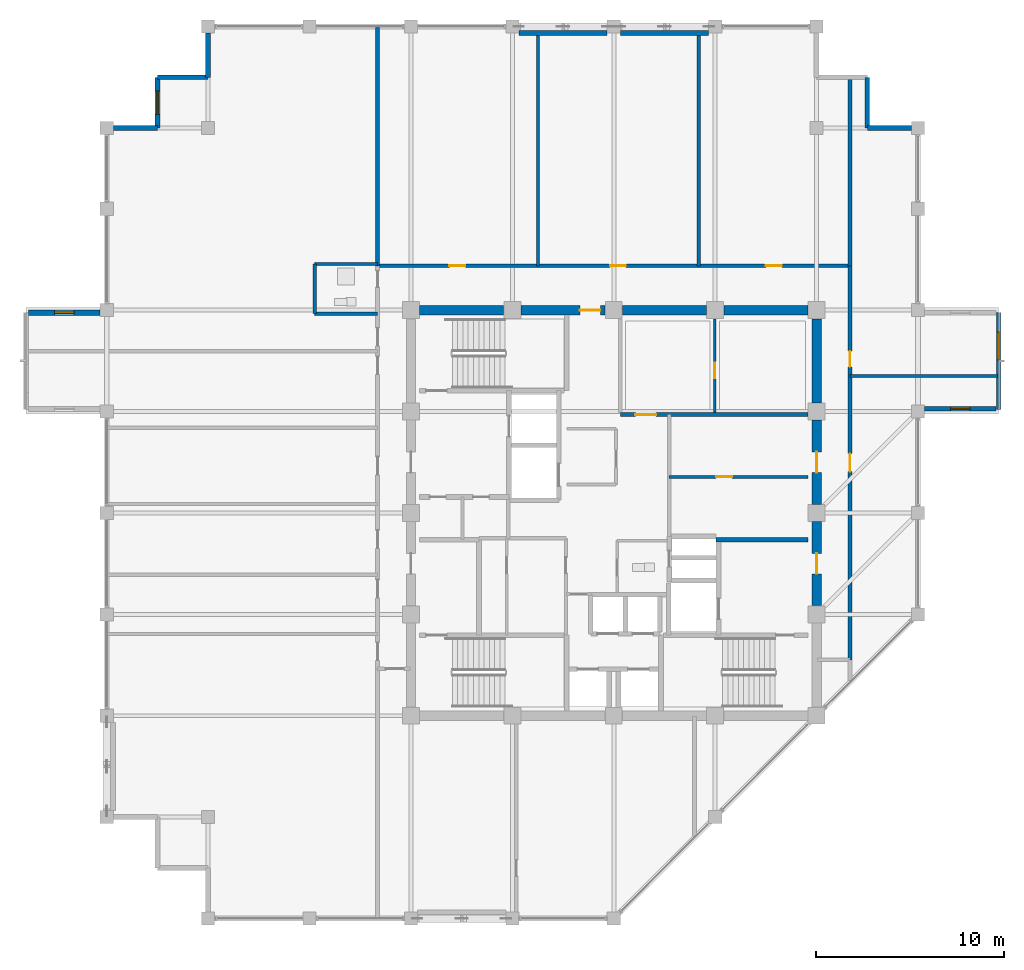
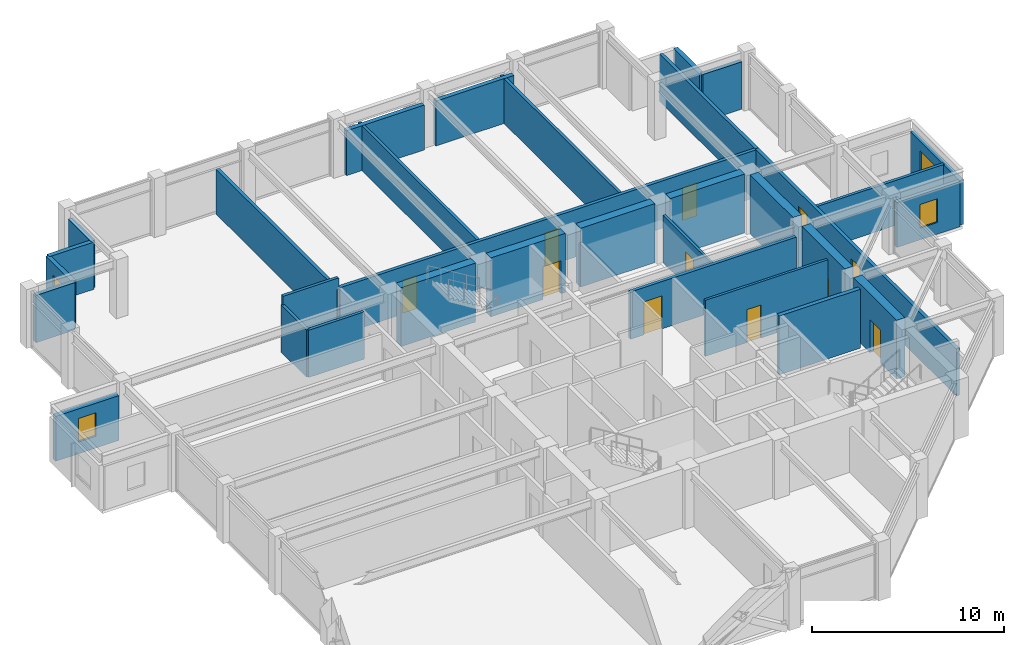
# One storey, part 27 of 31: 32 walls, 11 doors, 4 windows, 15 openings.
"""IFC4 building model written with IfcOpenShell, lengths in metres."""

from ifc_helpers import new_model, si_unit, direction, frame, frame_2d, origin, place, context, subcontext, project, spatial, rectangle, extrude, material, layer, layer_set, type_object, element, fill, save


model = new_model("IFC4")

# Units and contexts
model_context = context("Model", 3, precision=1e-05, world=origin(), true_north=direction((0.0, 1.0)))
body_context = subcontext(model_context, "Body", "Model", "MODEL_VIEW")
ifc_project = project(units=[si_unit("LENGTHUNIT", "METRE"), si_unit("AREAUNIT", "SQUARE_METRE"), si_unit("VOLUMEUNIT", "CUBIC_METRE"), si_unit("PLANEANGLEUNIT", "RADIAN"), si_unit("MASSUNIT", "GRAM", prefix="KILO")], contexts=[model_context])

# Site, building, storey
site_placement = place(None, origin())
site = spatial("IfcSite", under=ifc_project, at=site_placement, CompositionType="ELEMENT")
building_placement = place(site_placement, origin())
building = spatial("IfcBuilding", under=site, at=building_placement, Name="Surkhivell Harbour Commons", CompositionType="ELEMENT")
storey_placement = place(building_placement, frame((0.0, 0.0, 262.5)))
storey = spatial("IfcBuildingStorey", under=building, at=storey_placement, Name="L68", CompositionType="ELEMENT", Elevation=262.5)

# Wall
ifc_material_1 = material(Name="Concrete C50/60", Category="concrete")
ifc_layer_1 = layer(ifc_material_1, 0.5)
ifc_layer_set_1 = layer_set([ifc_layer_1], Name="Concrete C50/60")
wall_type_1 = type_object("IfcWallType", Name="WAL-CORE-500", PredefinedType="SHEAR", material=ifc_layer_set_1)
wall_1_placement = place(storey_placement, frame((-10.340087890625, 10.800048828125, 0.0), z_axis=(0.0, 0.0, 1.0), x_axis=(1.0, 0.0, 0.0)))
element("IfcWall", 1, at=wall_1_placement, inside=storey, type_object=wall_type_1, Name="L68 Core Shear Wall North 1", PredefinedType="SHEAR", context=body_context, shape_type="SweptSolid", body=[
    extrude(rectangle(XDim=4.47998046875, YDim=0.5, at=frame_2d((2.239990234375, 0.0))), origin(), (0.0, 0.0, 1.0), 3.75),
])

# Wall, opening, door
wall_2_placement = place(storey_placement, frame((-4.93994140625, 10.800048828125, 0.0), z_axis=(0.0, 0.0, 1.0), x_axis=(1.0, 0.0, 0.0)))
wall_2 = element("IfcWall", 2, at=wall_2_placement, inside=storey, type_object=wall_type_1, Name="L68 Core Shear Wall North 2", PredefinedType="SHEAR", context=body_context, shape_type="SweptSolid", body=[
    extrude(rectangle(XDim=4.47998046875, YDim=0.5, at=frame_2d((2.239990234375, 0.0))), origin(), (0.0, 0.0, 1.0), 3.75),
])
opening_1_placement = place(wall_2_placement, frame((3.1298828125, 0.0, 0.0)))
opening_1 = element("IfcOpeningElement", 3, at=opening_1_placement, cuts=wall_2, Name="Opening ID-2", PredefinedType="OPENING", context=body_context, shape_type="SweptSolid", body=[
    extrude(rectangle(XDim=1.10009765625, YDim=2.10009765625, at=frame_2d((0.550048828125, 1.050048828125))), frame((0.0, 0.260009765625, 0.0), z_axis=(0.0, -1.0, 0.0), x_axis=(1.0, 0.0, 0.0)), (0.0, 0.0, 1.0), 0.52001953125),
])
ifc_material_2 = material(Name="Hardwood-veneered fire-rated door leaf", Category="wood")
door_type_1 = type_object("IfcDoorType", Name="DOR-FD60-1100", OperationType="NOTDEFINED", PredefinedType="DOOR", material=ifc_material_2)
door_1_placement = place(opening_1_placement, origin())
door_1 = element("IfcDoor", 4, at=door_1_placement, inside=storey, type_object=door_type_1, Name="L68 Central Core Lift Hall North Corridor Door", OperationType="SINGLE_SWING_LEFT", OverallHeight=2.10009765625, OverallWidth=1.10009765625, PredefinedType="DOOR", context=body_context, shape_type="SweptSolid", body=[
    extrude(rectangle(XDim=1.10009765625, YDim=2.10009765625, at=frame_2d((0.550048828125, 1.050048828125))), frame((0.0, 0.02490234375, 0.0), z_axis=(0.0, -1.0, 0.0), x_axis=(1.0, 0.0, 0.0)), (0.0, 0.0, 1.0), 0.050048828125),
])
fill(opening_1, door_1)

wall_3_placement = place(storey_placement, frame((10.800048828125, -4.93994140625, 0.0), z_axis=(0.0, 0.0, 1.0), x_axis=(0.0, 1.0, 0.0)))
wall_3 = element("IfcWall", 5, at=wall_3_placement, inside=storey, type_object=wall_type_1, Name="L68 Core Shear Wall East 2", PredefinedType="SHEAR", context=body_context, shape_type="SweptSolid", body=[
    extrude(rectangle(XDim=4.47998046875, YDim=0.5, at=frame_2d((2.239990234375, 0.0))), origin(), (0.0, 0.0, 1.0), 3.75),
])
opening_2_placement = place(wall_3_placement, frame((1.68994140625, 0.0, 0.0)))
opening_2 = element("IfcOpeningElement", 6, at=opening_2_placement, cuts=wall_3, Name="Opening ID-1", PredefinedType="OPENING", context=body_context, shape_type="SweptSolid", body=[
    extrude(rectangle(XDim=1.10009765625, YDim=2.10009765625, at=frame_2d((0.550048828125, 1.050048828125))), frame((0.0, 0.260009765625, 0.0), z_axis=(0.0, -1.0, 0.0), x_axis=(1.0, 0.0, 0.0)), (0.0, 0.0, 1.0), 0.52001953125),
])
door_type_2 = type_object("IfcDoorType", Name="DOR-FD120-1100", OperationType="NOTDEFINED", PredefinedType="DOOR", material=ifc_material_2)
door_2_placement = place(opening_2_placement, origin())
door_2 = element("IfcDoor", 7, at=door_2_placement, inside=storey, type_object=door_type_2, Name="L68 Firefighting Lobby 2 Corridor Door", OperationType="SINGLE_SWING_RIGHT", OverallHeight=2.10009765625, OverallWidth=1.10009765625, PredefinedType="DOOR", context=body_context, shape_type="SweptSolid", body=[
    extrude(rectangle(XDim=1.10009765625, YDim=2.10009765625, at=frame_2d((0.550048828125, 1.050048828125))), frame((0.0, 0.02490234375, 0.0), z_axis=(0.0, -1.0, 0.0), x_axis=(1.0, 0.0, 0.0)), (0.0, 0.0, 1.0), 0.050048828125),
])
fill(opening_2, door_2)

# Wall
wall_4_placement = place(storey_placement, frame((0.4599609375, 10.800048828125, 0.0), z_axis=(0.0, 0.0, 1.0), x_axis=(1.0, 0.0, 0.0)))
element("IfcWall", 8, at=wall_4_placement, inside=storey, type_object=wall_type_1, Name="L68 Core Shear Wall North 3", PredefinedType="SHEAR", context=body_context, shape_type="SweptSolid", body=[
    extrude(rectangle(XDim=4.47998046875, YDim=0.5, at=frame_2d((2.239990234375, 0.0))), origin(), (0.0, 0.0, 1.0), 3.75),
])

# Wall, opening, door
wall_5_placement = place(storey_placement, frame((10.800048828125, 0.4599609375, 0.0), z_axis=(0.0, 0.0, 1.0), x_axis=(0.0, 1.0, 0.0)))
wall_5 = element("IfcWall", 9, at=wall_5_placement, inside=storey, type_object=wall_type_1, Name="L68 Core Shear Wall East 3", PredefinedType="SHEAR", context=body_context, shape_type="SweptSolid", body=[
    extrude(rectangle(XDim=4.47998046875, YDim=0.5, at=frame_2d((2.239990234375, 0.0))), origin(), (0.0, 0.0, 1.0), 3.75),
])
opening_3_placement = place(wall_5_placement, frame((1.68994140625, 0.0, 0.0)))
opening_3 = element("IfcOpeningElement", 10, at=opening_3_placement, cuts=wall_5, Name="Opening ID-2", PredefinedType="OPENING", context=body_context, shape_type="SweptSolid", body=[
    extrude(rectangle(XDim=1.10009765625, YDim=2.10009765625, at=frame_2d((0.550048828125, 1.050048828125))), frame((0.0, 0.260009765625, 0.0), z_axis=(0.0, -1.0, 0.0), x_axis=(1.0, 0.0, 0.0)), (0.0, 0.0, 1.0), 0.52001953125),
])
door_3_placement = place(opening_3_placement, origin())
door_3 = element("IfcDoor", 11, at=door_3_placement, inside=storey, type_object=door_type_1, Name="L68 Media Lounge East Door", OperationType="SINGLE_SWING_RIGHT", OverallHeight=2.10009765625, OverallWidth=1.10009765625, PredefinedType="DOOR", context=body_context, shape_type="SweptSolid", body=[
    extrude(rectangle(XDim=1.10009765625, YDim=2.10009765625, at=frame_2d((0.550048828125, 1.050048828125))), frame((0.0, 0.02490234375, 0.0), z_axis=(0.0, -1.0, 0.0), x_axis=(1.0, 0.0, 0.0)), (0.0, 0.0, 1.0), 0.050048828125),
])
fill(opening_3, door_3)

# Walls
for number, where, z_axis, x_axis, name in (
    (12, (5.860107421875, 10.800048828125, 0.0), (0.0, 0.0, 1.0), (1.0, 0.0, 0.0), "L68 Core Shear Wall North 4"),
    (13, (10.800048828125, 5.860107421875, 0.0), (0.0, 0.0, 1.0), (0.0, 1.0, 0.0), "L68 Core Shear Wall East 4"),
):
    element("IfcWall", number, at=place(storey_placement, frame(where, z_axis=z_axis, x_axis=x_axis)), inside=storey, type_object=wall_type_1, Name=name, PredefinedType="SHEAR", context=body_context, shape_type="SweptSolid", body=[
        extrude(rectangle(XDim=4.47998046875, YDim=0.5, at=frame_2d((2.239990234375, 0.0))), origin(), (0.0, 0.0, 1.0), 3.75),
    ])
ifc_material_3 = material(Name="Pale-metal insulated precast concrete C45/55", Category="concrete")
ifc_layer_2 = layer(ifc_material_3, 0.260009765625)
ifc_layer_set_2 = layer_set([ifc_layer_2], Name="Pale-metal insulated precast concrete C45/55")
wall_type_2 = type_object("IfcWallType", Name="WAL-EXT-MTL260", PredefinedType="STANDARD", material=ifc_layer_set_2)
wall_6_placement = place(storey_placement, frame((15.85205078125, 20.5, 0.0), z_axis=(0.0, 0.0, 1.0), x_axis=(-1.0, 0.0, 0.0)))
element("IfcWall", 14, at=wall_6_placement, inside=storey, type_object=wall_type_2, Name="L68 Serrated Corner Facade Wall 03", PredefinedType="STANDARD", context=body_context, shape_type="SweptSolid", body=[
    extrude(rectangle(XDim=2.35205078125, YDim=0.260009765625, at=frame_2d((1.176025390625, 0.0))), origin(), (0.0, 0.0, 1.0), 3.012939453125),
])
wall_7_placement = place(storey_placement, frame((13.5, 20.5, 0.0), z_axis=(0.0, 0.0, 1.0), x_axis=(0.0, 1.0, 0.0)))
element("IfcWall", 15, at=wall_7_placement, inside=storey, type_object=wall_type_2, Name="L68 Serrated Corner Facade Wall 04", PredefinedType="STANDARD", context=body_context, shape_type="SweptSolid", body=[
    extrude(rectangle(XDim=2.699951171875, YDim=0.260009765625, at=frame_2d((1.35009765625, 0.0))), origin(), (0.0, 0.0, 1.0), 3.012939453125),
])
for number, where, z_axis, x_axis, name in (
    (16, (-0.347900390625, 25.56494140625, 0.0), (0.0, 0.0, 1.0), (-1.0, 0.0, 0.0), "L68 Braced-Bay Insulated Spandrel Backing N"),
    (17, (5.052001953125, 25.56494140625, 0.0), (0.0, 0.0, 1.0), (-1.0, 0.0, 0.0), "L68 Braced-Bay Insulated Spandrel Backing N2"),
):
    element("IfcWall", number, at=place(storey_placement, frame(where, z_axis=z_axis, x_axis=x_axis)), inside=storey, type_object=wall_type_2, Name=name, PredefinedType="STANDARD", context=body_context, shape_type="SweptSolid", body=[
        extrude(rectangle(XDim=4.7041015625, YDim=0.260009765625, at=frame_2d((2.35205078125, 0.0))), origin(), (0.0, 0.0, 1.0), 2.85693359375),
    ])
wall_8_placement = place(storey_placement, frame((-21.60009765625, 25.552001953125, 0.0), z_axis=(0.0, 0.0, 1.0), x_axis=(0.0, -1.0, 0.0)))
element("IfcWall", 18, at=wall_8_placement, inside=storey, type_object=wall_type_2, Name="L68 Serrated Corner Facade Wall 08", PredefinedType="STANDARD", context=body_context, shape_type="SweptSolid", body=[
    extrude(rectangle(XDim=2.35205078125, YDim=0.260009765625, at=frame_2d((1.176025390625, 0.0))), origin(), (0.0, 0.0, 1.0), 3.012939453125),
])
wall_9_placement = place(storey_placement, frame((-21.60009765625, 23.199951171875, 0.0), z_axis=(0.0, 0.0, 1.0), x_axis=(-1.0, 0.0, 0.0)))
element("IfcWall", 19, at=wall_9_placement, inside=storey, type_object=wall_type_2, Name="L68 Serrated Corner Facade Wall 09", PredefinedType="STANDARD", context=body_context, shape_type="SweptSolid", body=[
    extrude(rectangle(XDim=2.699951171875, YDim=0.260009765625, at=frame_2d((1.35009765625, 0.0))), origin(), (0.0, 0.0, 1.0), 3.012939453125),
])

# Wall, opening, window
wall_10_placement = place(storey_placement, frame((-24.300048828125, 23.199951171875, 0.0), z_axis=(0.0, 0.0, 1.0), x_axis=(0.0, -1.0, 0.0)))
wall_10 = element("IfcWall", 20, at=wall_10_placement, inside=storey, type_object=wall_type_2, Name="L68 Serrated Corner Facade Wall 10", PredefinedType="STANDARD", context=body_context, shape_type="SweptSolid", body=[
    extrude(rectangle(XDim=2.699951171875, YDim=0.260009765625, at=frame_2d((1.35009765625, 0.0))), origin(), (0.0, 0.0, 1.0), 3.012939453125),
])
opening_4_placement = place(wall_10_placement, frame((0.72509765625, 0.0, 0.64990234375)))
opening_4 = element("IfcOpeningElement", 21, at=opening_4_placement, cuts=wall_10, Name="Opening WN-09", PredefinedType="OPENING", context=body_context, shape_type="SweptSolid", body=[
    extrude(rectangle(XDim=1.25, YDim=1.60009765625, at=frame_2d((0.625, 0.800048828125))), frame((0.0, 0.139892578125, 0.0), z_axis=(0.0, -1.0, 0.0), x_axis=(1.0, 0.0, 0.0)), (0.0, 0.0, 1.0), 0.280029296875),
])
ifc_material_4 = material(Name="Thermal-break aluminium frame and double low-E glazing", Category="aluminium")
window_type_1 = type_object("IfcWindowType", Name="WIN-SER-1250x1600", PartitioningType="SINGLE_PANEL", PredefinedType="WINDOW", material=ifc_material_4)
window_1_placement = place(opening_4_placement, origin())
window_1 = element("IfcWindow", 22, at=window_1_placement, inside=storey, type_object=window_type_1, Name="L68 Serrated Alcove Window 10", OverallHeight=1.60009765625, OverallWidth=1.25, PartitioningType="SINGLE_PANEL", PredefinedType="WINDOW", context=body_context, shape_type="SweptSolid", body=[
    extrude(rectangle(XDim=1.25, YDim=1.60009765625, at=frame_2d((0.625, 0.800048828125))), frame((0.0, 0.030029296875, 0.0), z_axis=(0.0, -1.0, 0.0), x_axis=(1.0, 0.0, 0.0)), (0.0, 0.0, 1.0), 0.06005859375),
])
fill(opening_4, window_1)

# Wall
wall_11_placement = place(storey_placement, frame((-24.300048828125, 20.5, 0.0), z_axis=(0.0, 0.0, 1.0), x_axis=(-1.0, 0.0, 0.0)))
element("IfcWall", 23, at=wall_11_placement, inside=storey, type_object=wall_type_2, Name="L68 Serrated Corner Facade Wall 11", PredefinedType="STANDARD", context=body_context, shape_type="SweptSolid", body=[
    extrude(rectangle(XDim=2.35205078125, YDim=0.260009765625, at=frame_2d((1.176025390625, 0.0))), origin(), (0.0, 0.0, 1.0), 3.012939453125),
])

# Wall, opening, window
ifc_material_5 = material(Name="Bronze-ochre cassette precast concrete C45/55", Category="concrete")
ifc_layer_3 = layer(ifc_material_5, 0.239990234375)
ifc_layer_set_3 = layer_set([ifc_layer_3], Name="Bronze-ochre cassette precast concrete C45/55")
wall_type_3 = type_object("IfcWallType", Name="WAL-EXT-OCH240", PredefinedType="STANDARD", material=ifc_layer_set_3)
wall_12_placement = place(storey_placement, frame((20.5, 5.52001953125, 0.0), z_axis=(0.0, 0.0, 1.0), x_axis=(0.0, 1.0, 0.0)))
wall_12 = element("IfcWall", 24, at=wall_12_placement, inside=storey, type_object=wall_type_3, Name="L68 Coloured Box Front Wall 01", PredefinedType="STANDARD", context=body_context, shape_type="SweptSolid", body=[
    extrude(rectangle(XDim=5.159912109375, YDim=0.239990234375, at=frame_2d((2.580078125, 0.0))), origin(), (0.0, 0.0, 1.0), 2.85693359375),
])
opening_5_placement = place(wall_12_placement, frame((2.625, 0.0, 0.75)))
opening_5 = element("IfcOpeningElement", 25, at=opening_5_placement, cuts=wall_12, Name="Opening WN-13", PredefinedType="OPENING", context=body_context, shape_type="SweptSolid", body=[
    extrude(rectangle(XDim=1.5, YDim=1.5, at=frame_2d((0.75, 0.75))), frame((0.0, 0.1298828125, 0.0), z_axis=(0.0, -1.0, 0.0), x_axis=(1.0, 0.0, 0.0)), (0.0, 0.0, 1.0), 0.260009765625),
])
window_type_2 = type_object("IfcWindowType", Name="WIN-BOX-1500x1500", PartitioningType="SINGLE_PANEL", PredefinedType="WINDOW", material=ifc_material_4)
window_2_placement = place(opening_5_placement, origin())
window_2 = element("IfcWindow", 26, at=window_2_placement, inside=storey, type_object=window_type_2, Name="L68 Coloured Box Square Window 01-1", OverallHeight=1.5, OverallWidth=1.5, PartitioningType="SINGLE_PANEL", PredefinedType="WINDOW", context=body_context, shape_type="SweptSolid", body=[
    extrude(rectangle(XDim=1.5, YDim=1.5, at=frame_2d((0.75, 0.75))), frame((0.0, 0.030029296875, 0.0), z_axis=(0.0, -1.0, 0.0), x_axis=(1.0, 0.0, 0.0)), (0.0, 0.0, 1.0), 0.06005859375),
])
fill(opening_5, window_2)

wall_13_placement = place(storey_placement, frame((16.553955078125, 5.5400390625, 0.0), z_axis=(0.0, 0.0, 1.0), x_axis=(1.0, 0.0, 0.0)))
wall_13 = element("IfcWall", 27, at=wall_13_placement, inside=storey, type_object=wall_type_3, Name="L68 Coloured Box Return Wall 01S", PredefinedType="STANDARD", context=body_context, shape_type="SweptSolid", body=[
    extrude(rectangle(XDim=3.80615234375, YDim=0.239990234375, at=frame_2d((1.903076171875, 0.0))), origin(), (0.0, 0.0, 1.0), 2.85693359375),
])
opening_6_placement = place(wall_13_placement, frame((1.3779296875, 0.0, 0.75)))
opening_6 = element("IfcOpeningElement", 28, at=opening_6_placement, cuts=wall_13, Name="Opening WN-11", PredefinedType="OPENING", context=body_context, shape_type="SweptSolid", body=[
    extrude(rectangle(XDim=1.050048828125, YDim=1.5, at=frame_2d((0.52490234375, 0.75))), frame((0.0, 0.1298828125, 0.0), z_axis=(0.0, -1.0, 0.0), x_axis=(1.0, 0.0, 0.0)), (0.0, 0.0, 1.0), 0.260009765625),
])
window_type_3 = type_object("IfcWindowType", Name="WIN-SER-1050x1500", PartitioningType="SINGLE_PANEL", PredefinedType="WINDOW", material=ifc_material_4)
window_3_placement = place(opening_6_placement, origin())
window_3 = element("IfcWindow", 29, at=window_3_placement, inside=storey, type_object=window_type_3, Name="L68 Coloured Box Return Window 01S", OverallHeight=1.5, OverallWidth=1.050048828125, PartitioningType="SINGLE_PANEL", PredefinedType="WINDOW", context=body_context, shape_type="SweptSolid", body=[
    extrude(rectangle(XDim=1.050048828125, YDim=1.5, at=frame_2d((0.52490234375, 0.75))), frame((0.0, 0.030029296875, 0.0), z_axis=(0.0, -1.0, 0.0), x_axis=(1.0, 0.0, 0.0)), (0.0, 0.0, 1.0), 0.06005859375),
])
fill(opening_6, window_3)

ifc_material_6 = material(Name="Terracotta-clad reinforced concrete C45/55", Category="masonry")
ifc_layer_4 = layer(ifc_material_6, 0.280029296875)
ifc_layer_set_4 = layer_set([ifc_layer_4], Name="Terracotta-clad reinforced concrete C45/55")
wall_type_4 = type_object("IfcWallType", Name="WAL-EXT-TER280", PredefinedType="STANDARD", material=ifc_layer_set_4)
wall_14_placement = place(storey_placement, frame((-31.159912109375, 10.659912109375, 0.0), z_axis=(0.0, 0.0, 1.0), x_axis=(1.0, 0.0, 0.0)))
wall_14 = element("IfcWall", 30, at=wall_14_placement, inside=storey, type_object=wall_type_4, Name="L68 Coloured Box Return Wall 02N", PredefinedType="STANDARD", context=body_context, shape_type="SweptSolid", body=[
    extrude(rectangle(XDim=3.805908203125, YDim=0.280029296875, at=frame_2d((1.90283203125, 0.0))), origin(), (0.0, 0.0, 1.0), 2.85693359375),
])
opening_7_placement = place(wall_14_placement, frame((1.3779296875, 0.0, 0.75)))
opening_7 = element("IfcOpeningElement", 31, at=opening_7_placement, cuts=wall_14, Name="Opening WN-11", PredefinedType="OPENING", context=body_context, shape_type="SweptSolid", body=[
    extrude(rectangle(XDim=1.050048828125, YDim=1.5, at=frame_2d((0.52490234375, 0.75))), frame((0.0, 0.14990234375, 0.0), z_axis=(0.0, -1.0, 0.0), x_axis=(1.0, 0.0, 0.0)), (0.0, 0.0, 1.0), 0.300048828125),
])
window_4_placement = place(opening_7_placement, origin())
window_4 = element("IfcWindow", 32, at=window_4_placement, inside=storey, type_object=window_type_3, Name="L68 Coloured Box Return Window 02N", OverallHeight=1.5, OverallWidth=1.050048828125, PartitioningType="SINGLE_PANEL", PredefinedType="WINDOW", context=body_context, shape_type="SweptSolid", body=[
    extrude(rectangle(XDim=1.050048828125, YDim=1.5, at=frame_2d((0.52490234375, 0.75))), frame((0.0, 0.030029296875, 0.0), z_axis=(0.0, -1.0, 0.0), x_axis=(1.0, 0.0, 0.0)), (0.0, 0.0, 1.0), 0.06005859375),
])
fill(opening_7, window_4)

# Wall, opening, door
ifc_material_7 = material(Name="Twin-stud acoustic fireboard partition", Category="other")
ifc_layer_5 = layer(ifc_material_7, 0.14990234375)
ifc_layer_set_5 = layer_set([ifc_layer_5], Name="Twin-stud acoustic fireboard partition")
wall_type_5 = type_object("IfcWallType", Name="WAL-INT-150", PredefinedType="PARTITIONING", material=ifc_layer_set_5)
wall_15_placement = place(storey_placement, frame((5.3798828125, 5.360107421875, 0.0), z_axis=(0.0, 0.0, 1.0), x_axis=(0.0, 1.0, 0.0)))
wall_15 = element("IfcWall", 33, at=wall_15_placement, inside=storey, type_object=wall_type_5, Name="L68 Core Library Divider", PredefinedType="PARTITIONING", context=body_context, shape_type="SweptSolid", body=[
    extrude(rectangle(XDim=4.97998046875, YDim=0.14990234375, at=frame_2d((2.489990234375, 0.0))), origin(), (0.0, 0.0, 1.0), 3.012939453125),
])
opening_8_placement = place(wall_15_placement, frame((1.800048828125, 0.0, 0.0)))
opening_8 = element("IfcOpeningElement", 34, at=opening_8_placement, cuts=wall_15, Name="Opening ID-6", PredefinedType="OPENING", context=body_context, shape_type="SweptSolid", body=[
    extrude(rectangle(XDim=0.85009765625, YDim=2.10009765625, at=frame_2d((0.425048828125, 1.050048828125))), frame((0.0, 0.0849609375, 0.0), z_axis=(0.0, -1.0, 0.0), x_axis=(1.0, 0.0, 0.0)), (0.0, 0.0, 1.0), 0.169921875),
])
door_type_3 = type_object("IfcDoorType", Name="DOR-FD30-850", OperationType="NOTDEFINED", PredefinedType="DOOR", material=ifc_material_2)
door_4_placement = place(opening_8_placement, origin())
door_4 = element("IfcDoor", 35, at=door_4_placement, inside=storey, type_object=door_type_3, Name="L68 Core Reading Door", OperationType="SINGLE_SWING_RIGHT", OverallHeight=2.10009765625, OverallWidth=0.85009765625, PredefinedType="DOOR", context=body_context, shape_type="SweptSolid", body=[
    extrude(rectangle(XDim=0.85009765625, YDim=2.10009765625, at=frame_2d((0.425048828125, 1.050048828125))), frame((0.0, 0.02490234375, 0.0), z_axis=(0.0, -1.0, 0.0), x_axis=(1.0, 0.0, 0.0)), (0.0, 0.0, 1.0), 0.050048828125),
])
fill(opening_8, door_4)

wall_16_placement = place(storey_placement, frame((2.949951171875, 1.919921875, 0.0), z_axis=(0.0, 0.0, 1.0), x_axis=(1.0, 0.0, 0.0)))
wall_16 = element("IfcWall", 36, at=wall_16_placement, inside=storey, type_object=wall_type_5, Name="L68 Media Divider", PredefinedType="PARTITIONING", context=body_context, shape_type="SweptSolid", body=[
    extrude(rectangle(XDim=7.39013671875, YDim=0.14990234375, at=frame_2d((3.695068359375, 0.0))), origin(), (0.0, 0.0, 1.0), 3.570068359375),
])
opening_9_placement = place(wall_16_placement, frame((2.5, 0.0, 0.0)))
opening_9 = element("IfcOpeningElement", 37, at=opening_9_placement, cuts=wall_16, Name="Opening ID-6", PredefinedType="OPENING", context=body_context, shape_type="SweptSolid", body=[
    extrude(rectangle(XDim=0.85009765625, YDim=2.10009765625, at=frame_2d((0.425048828125, 1.050048828125))), frame((0.0, 0.0849609375, 0.0), z_axis=(0.0, -1.0, 0.0), x_axis=(1.0, 0.0, 0.0)), (0.0, 0.0, 1.0), 0.169921875),
])
door_5_placement = place(opening_9_placement, origin())
door_5 = element("IfcDoor", 38, at=door_5_placement, inside=storey, type_object=door_type_3, Name="L68 Seminar Alcove Door", OperationType="SINGLE_SWING_RIGHT", OverallHeight=2.10009765625, OverallWidth=0.85009765625, PredefinedType="DOOR", context=body_context, shape_type="SweptSolid", body=[
    extrude(rectangle(XDim=0.85009765625, YDim=2.10009765625, at=frame_2d((0.425048828125, 1.050048828125))), frame((0.0, 0.02490234375, 0.0), z_axis=(0.0, -1.0, 0.0), x_axis=(1.0, 0.0, 0.0)), (0.0, 0.0, 1.0), 0.050048828125),
])
fill(opening_9, door_5)

# Walls
ifc_material_8 = material(Name="High-density acoustic blockwork fire partition", Category="masonry")
ifc_layer_6 = layer(ifc_material_8, 0.175048828125)
ifc_layer_set_6 = layer_set([ifc_layer_6], Name="High-density acoustic blockwork fire partition")
wall_type_6 = type_object("IfcWallType", Name="WAL-INT-175", PredefinedType="PARTITIONING", material=ifc_layer_set_6)
wall_17_placement = place(storey_placement, frame((12.580078125, 7.2900390625, 0.0), z_axis=(0.0, 0.0, 1.0), x_axis=(1.0, 0.0, 0.0)))
element("IfcWall", 39, at=wall_17_placement, inside=storey, type_object=wall_type_6, Name="L68 East Partition P1", PredefinedType="PARTITIONING", context=body_context, shape_type="SweptSolid", body=[
    extrude(rectangle(XDim=7.85986328125, YDim=0.175048828125, at=frame_2d((3.929931640625, 0.0))), origin(), (0.0, 0.0, 1.0), 2.85693359375),
])
for number, where, z_axis, x_axis, name in (
    (40, (-4.030029296875, 13.159912109375, 0.0), (0.0, 0.0, 1.0), (0.0, 1.0, 0.0), "L68 North Partition P1"),
    (41, (4.530029296875, 13.159912109375, 0.0), (0.0, 0.0, 1.0), (0.0, 1.0, 0.0), "L68 North Partition P2"),
):
    element("IfcWall", number, at=place(storey_placement, frame(where, z_axis=z_axis, x_axis=x_axis)), inside=storey, type_object=wall_type_6, Name=name, PredefinedType="PARTITIONING", context=body_context, shape_type="SweptSolid", body=[
        extrude(rectangle(XDim=12.68017578125, YDim=0.175048828125, at=frame_2d((6.340087890625, 0.0))), origin(), (0.0, 0.0, 1.0), 2.85693359375),
    ])
wall_18_placement = place(storey_placement, frame((-15.929931640625, 10.610107421875, 0.0), z_axis=(0.0, 0.0, 1.0), x_axis=(0.0, 1.0, 0.0)))
element("IfcWall", 42, at=wall_18_placement, inside=storey, type_object=wall_type_6, Name="L68 West Partition BTHB", PredefinedType="PARTITIONING", context=body_context, shape_type="SweptSolid", body=[
    extrude(rectangle(XDim=2.64990234375, YDim=0.175048828125, at=frame_2d((1.324951171875, 0.0))), origin(), (0.0, 0.0, 1.0), 3.012939453125),
])
wall_19_placement = place(storey_placement, frame((-15.929931640625, 13.260009765625, 0.0), z_axis=(0.0, 0.0, 1.0), x_axis=(1.0, 0.0, 0.0)))
element("IfcWall", 43, at=wall_19_placement, inside=storey, type_object=wall_type_6, Name="L68 West Partition BTHN", PredefinedType="PARTITIONING", context=body_context, shape_type="SweptSolid", body=[
    extrude(rectangle(XDim=3.349853515625, YDim=0.175048828125, at=frame_2d((1.6748046875, 0.0))), origin(), (0.0, 0.0, 1.0), 3.570068359375),
])
wall_20_placement = place(storey_placement, frame((-15.929931640625, 10.610107421875, 0.0), z_axis=(0.0, 0.0, 1.0), x_axis=(1.0, 0.0, 0.0)))
element("IfcWall", 44, at=wall_20_placement, inside=storey, type_object=wall_type_6, Name="L68 West Partition BTHS", PredefinedType="PARTITIONING", context=body_context, shape_type="SweptSolid", body=[
    extrude(rectangle(XDim=3.349853515625, YDim=0.175048828125, at=frame_2d((1.6748046875, 0.0))), origin(), (0.0, 0.0, 1.0), 3.012939453125),
])

# Wall, opening, door
ifc_material_9 = material(Name="Autoclaved aerated concrete blockwork and fire plaster", Category="masonry")
ifc_layer_7 = layer(ifc_material_9, 0.199951171875)
ifc_layer_set_7 = layer_set([ifc_layer_7], Name="Autoclaved aerated concrete blockwork and fire plaster")
wall_type_7 = type_object("IfcWallType", Name="WAL-INT-200", PredefinedType="PARTITIONING", material=ifc_layer_set_7)
wall_21_placement = place(storey_placement, frame((0.35009765625, 5.239990234375, 0.0), z_axis=(0.0, 0.0, 1.0), x_axis=(1.0, 0.0, 0.0)))
wall_21 = element("IfcWall", 45, at=wall_21_placement, inside=storey, type_object=wall_type_7, Name="L68 Reclaimed Core North Bay South Wall", PredefinedType="PARTITIONING", context=body_context, shape_type="SweptSolid", body=[
    extrude(rectangle(XDim=9.989990234375, YDim=0.199951171875, at=frame_2d((4.9951171875, 0.0))), origin(), (0.0, 0.0, 1.0), 3.012939453125),
])
opening_10_placement = place(wall_21_placement, frame((0.800048828125, 0.0, 0.0)))
opening_10 = element("IfcOpeningElement", 46, at=opening_10_placement, cuts=wall_21, Name="Opening ID-2", PredefinedType="OPENING", context=body_context, shape_type="SweptSolid", body=[
    extrude(rectangle(XDim=1.10009765625, YDim=2.10009765625, at=frame_2d((0.550048828125, 1.050048828125))), frame((0.0, 0.10986328125, 0.0), z_axis=(0.0, -1.0, 0.0), x_axis=(1.0, 0.0, 0.0)), (0.0, 0.0, 1.0), 0.219970703125),
])
door_6_placement = place(opening_10_placement, origin())
door_6 = element("IfcDoor", 47, at=door_6_placement, inside=storey, type_object=door_type_1, Name="L68 Core Study Door", OperationType="SINGLE_SWING_LEFT", OverallHeight=2.10009765625, OverallWidth=1.10009765625, PredefinedType="DOOR", context=body_context, shape_type="SweptSolid", body=[
    extrude(rectangle(XDim=1.10009765625, YDim=2.10009765625, at=frame_2d((0.550048828125, 1.050048828125))), frame((0.0, 0.02490234375, 0.0), z_axis=(0.0, -1.0, 0.0), x_axis=(1.0, 0.0, 0.0)), (0.0, 0.0, 1.0), 0.050048828125),
])
fill(opening_10, door_6)

# Walls
wall_22_placement = place(storey_placement, frame((12.580078125, 13.159912109375, 0.0), z_axis=(0.0, 0.0, 1.0), x_axis=(0.0, 1.0, 0.0)))
element("IfcWall", 48, at=wall_22_placement, inside=storey, type_object=wall_type_7, Name="L68 North-East Corner Wall", PredefinedType="PARTITIONING", context=body_context, shape_type="SweptSolid", body=[
    extrude(rectangle(XDim=9.97998046875, YDim=0.199951171875, at=frame_2d((4.989990234375, 0.0))), origin(), (0.0, 0.0, 1.0), 3.012939453125),
])
wall_23_placement = place(storey_placement, frame((-12.580078125, 13.159912109375, 0.0), z_axis=(0.0, 0.0, 1.0), x_axis=(0.0, 1.0, 0.0)))
element("IfcWall", 49, at=wall_23_placement, inside=storey, type_object=wall_type_7, Name="L68 North-West Corner Wall", PredefinedType="PARTITIONING", context=body_context, shape_type="SweptSolid", body=[
    extrude(rectangle(XDim=12.68017578125, YDim=0.199951171875, at=frame_2d((6.340087890625, 0.0))), origin(), (0.0, 0.0, 1.0), 2.85693359375),
])

# Wall, openings, doors
wall_24_placement = place(storey_placement, frame((12.580078125, -7.820068359375, 0.0), z_axis=(0.0, 0.0, 1.0), x_axis=(0.0, 1.0, 0.0)))
wall_24 = element("IfcWall", 50, at=wall_24_placement, inside=storey, type_object=wall_type_7, Name="L68 East Corridor Wall", PredefinedType="PARTITIONING", context=body_context, shape_type="SweptSolid", body=[
    extrude(rectangle(XDim=20.97998046875, YDim=0.199951171875, at=frame_2d((10.489990234375, 0.0))), origin(), (0.0, 0.0, 1.0), 3.012939453125),
])
opening_11_placement = place(wall_24_placement, frame((10.023193359375, 0.0, 0.0)))
opening_11 = element("IfcOpeningElement", 51, at=opening_11_placement, cuts=wall_24, Name="Opening ID-4", PredefinedType="OPENING", context=body_context, shape_type="SweptSolid", body=[
    extrude(rectangle(XDim=0.949951171875, YDim=2.10009765625, at=frame_2d((0.47509765625, 1.050048828125))), frame((0.0, 0.10986328125, 0.0), z_axis=(0.0, -1.0, 0.0), x_axis=(1.0, 0.0, 0.0)), (0.0, 0.0, 1.0), 0.219970703125),
])
opening_12_placement = place(wall_24_placement, frame((15.5927734375, 0.0, 0.0)))
opening_12 = element("IfcOpeningElement", 52, at=opening_12_placement, cuts=wall_24, Name="Opening ID-6", PredefinedType="OPENING", context=body_context, shape_type="SweptSolid", body=[
    extrude(rectangle(XDim=0.85009765625, YDim=2.10009765625, at=frame_2d((0.425048828125, 1.050048828125))), frame((0.0, 0.10986328125, 0.0), z_axis=(0.0, -1.0, 0.0), x_axis=(1.0, 0.0, 0.0)), (0.0, 0.0, 1.0), 0.219970703125),
])
door_7_placement = place(opening_12_placement, origin())
door_7 = element("IfcDoor", 53, at=door_7_placement, inside=storey, type_object=door_type_3, Name="L68 Resident Advisory Reception Desk East Door", OperationType="SINGLE_SWING_RIGHT", OverallHeight=2.10009765625, OverallWidth=0.85009765625, PredefinedType="DOOR", context=body_context, shape_type="SweptSolid", body=[
    extrude(rectangle(XDim=0.85009765625, YDim=2.10009765625, at=frame_2d((0.425048828125, 1.050048828125))), frame((0.0, 0.02490234375, 0.0), z_axis=(0.0, -1.0, 0.0), x_axis=(1.0, 0.0, 0.0)), (0.0, 0.0, 1.0), 0.050048828125),
])
fill(opening_12, door_7)
door_type_4 = type_object("IfcDoorType", Name="DOR-FD60-950", OperationType="NOTDEFINED", PredefinedType="DOOR", material=ifc_material_2)
door_8_placement = place(opening_11_placement, origin())
door_8 = element("IfcDoor", 54, at=door_8_placement, inside=storey, type_object=door_type_4, Name="L68 Zone Concierge Reception Foyer East Door", OperationType="SINGLE_SWING_LEFT", OverallHeight=2.10009765625, OverallWidth=0.949951171875, PredefinedType="DOOR", context=body_context, shape_type="SweptSolid", body=[
    extrude(rectangle(XDim=0.949951171875, YDim=2.10009765625, at=frame_2d((0.47509765625, 1.050048828125))), frame((0.0, 0.02490234375, 0.0), z_axis=(0.0, -1.0, 0.0), x_axis=(1.0, 0.0, 0.0)), (0.0, 0.0, 1.0), 0.050048828125),
])
fill(opening_11, door_8)

wall_25_placement = place(storey_placement, frame((-12.580078125, 13.159912109375, 0.0), z_axis=(0.0, 0.0, 1.0), x_axis=(1.0, 0.0, 0.0)))
wall_25 = element("IfcWall", 55, at=wall_25_placement, inside=storey, type_object=wall_type_7, Name="L68 North Corridor Wall", PredefinedType="PARTITIONING", context=body_context, shape_type="SweptSolid", body=[
    extrude(rectangle(XDim=25.16015625, YDim=0.199951171875, at=frame_2d((12.580078125, 0.0))), origin(), (0.0, 0.0, 1.0), 3.012939453125),
])
opening_13_placement = place(wall_25_placement, frame((3.824951171875, 0.0, 0.0)))
opening_13 = element("IfcOpeningElement", 56, at=opening_13_placement, cuts=wall_25, Name="Opening ID-6", PredefinedType="OPENING", context=body_context, shape_type="SweptSolid", body=[
    extrude(rectangle(XDim=0.85009765625, YDim=2.10009765625, at=frame_2d((0.425048828125, 1.050048828125))), frame((0.0, 0.10986328125, 0.0), z_axis=(0.0, -1.0, 0.0), x_axis=(1.0, 0.0, 0.0)), (0.0, 0.0, 1.0), 0.219970703125),
])
opening_14_placement = place(wall_25_placement, frame((12.3798828125, 0.0, 0.0)))
opening_14 = element("IfcOpeningElement", 57, at=opening_14_placement, cuts=wall_25, Name="Opening ID-6", PredefinedType="OPENING", context=body_context, shape_type="SweptSolid", body=[
    extrude(rectangle(XDim=0.85009765625, YDim=2.10009765625, at=frame_2d((0.425048828125, 1.050048828125))), frame((0.0, 0.10986328125, 0.0), z_axis=(0.0, -1.0, 0.0), x_axis=(1.0, 0.0, 0.0)), (0.0, 0.0, 1.0), 0.219970703125),
])
opening_15_placement = place(wall_25_placement, frame((20.68505859375, 0.0, 0.0)))
opening_15 = element("IfcOpeningElement", 58, at=opening_15_placement, cuts=wall_25, Name="Opening ID-6", PredefinedType="OPENING", context=body_context, shape_type="SweptSolid", body=[
    extrude(rectangle(XDim=0.85009765625, YDim=2.10009765625, at=frame_2d((0.425048828125, 1.050048828125))), frame((0.0, 0.10986328125, 0.0), z_axis=(0.0, -1.0, 0.0), x_axis=(1.0, 0.0, 0.0)), (0.0, 0.0, 1.0), 0.219970703125),
])
door_9_placement = place(opening_13_placement, origin())
door_9 = element("IfcDoor", 59, at=door_9_placement, inside=storey, type_object=door_type_3, Name="L68 Academic Seminar Room 1 North Door", OperationType="SINGLE_SWING_RIGHT", OverallHeight=2.10009765625, OverallWidth=0.85009765625, PredefinedType="DOOR", context=body_context, shape_type="SweptSolid", body=[
    extrude(rectangle(XDim=0.85009765625, YDim=2.10009765625, at=frame_2d((0.425048828125, 1.050048828125))), frame((0.0, 0.02490234375, 0.0), z_axis=(0.0, -1.0, 0.0), x_axis=(1.0, 0.0, 0.0)), (0.0, 0.0, 1.0), 0.050048828125),
])
fill(opening_13, door_9)
door_10_placement = place(opening_14_placement, origin())
door_10 = element("IfcDoor", 60, at=door_10_placement, inside=storey, type_object=door_type_3, Name="L68 Academic Seminar Room 2 North Door", OperationType="SINGLE_SWING_LEFT", OverallHeight=2.10009765625, OverallWidth=0.85009765625, PredefinedType="DOOR", context=body_context, shape_type="SweptSolid", body=[
    extrude(rectangle(XDim=0.85009765625, YDim=2.10009765625, at=frame_2d((0.425048828125, 1.050048828125))), frame((0.0, 0.02490234375, 0.0), z_axis=(0.0, -1.0, 0.0), x_axis=(1.0, 0.0, 0.0)), (0.0, 0.0, 1.0), 0.050048828125),
])
fill(opening_14, door_10)
door_11_placement = place(opening_15_placement, origin())
door_11 = element("IfcDoor", 61, at=door_11_placement, inside=storey, type_object=door_type_3, Name="L68 Academic Seminar Room 3 North Door", OperationType="SINGLE_SWING_RIGHT", OverallHeight=2.10009765625, OverallWidth=0.85009765625, PredefinedType="DOOR", context=body_context, shape_type="SweptSolid", body=[
    extrude(rectangle(XDim=0.85009765625, YDim=2.10009765625, at=frame_2d((0.425048828125, 1.050048828125))), frame((0.0, 0.02490234375, 0.0), z_axis=(0.0, -1.0, 0.0), x_axis=(1.0, 0.0, 0.0)), (0.0, 0.0, 1.0), 0.050048828125),
])
fill(opening_15, door_11)

# Wall
ifc_layer_8 = layer(ifc_material_1, 0.25)
ifc_layer_set_8 = layer_set([ifc_layer_8], Name="Concrete C50/60")
wall_type_8 = type_object("IfcWallType", Name="WAL-SHAFT-250", PredefinedType="SHEAR", material=ifc_layer_set_8)
wall_26_placement = place(storey_placement, frame((5.43994140625, -1.419921875, 0.0), z_axis=(0.0, 0.0, 1.0), x_axis=(1.0, 0.0, 0.0)))
element("IfcWall", 62, at=wall_26_placement, inside=storey, type_object=wall_type_8, Name="L68 Firefighting Lobby 2 North Wall", PredefinedType="SHEAR", context=body_context, shape_type="SweptSolid", body=[
    extrude(rectangle(XDim=4.900146484375, YDim=0.25, at=frame_2d((2.4501953125, 0.0))), origin(), (0.0, 0.0, 1.0), 3.75),
])

save(model, "model.ifc")
